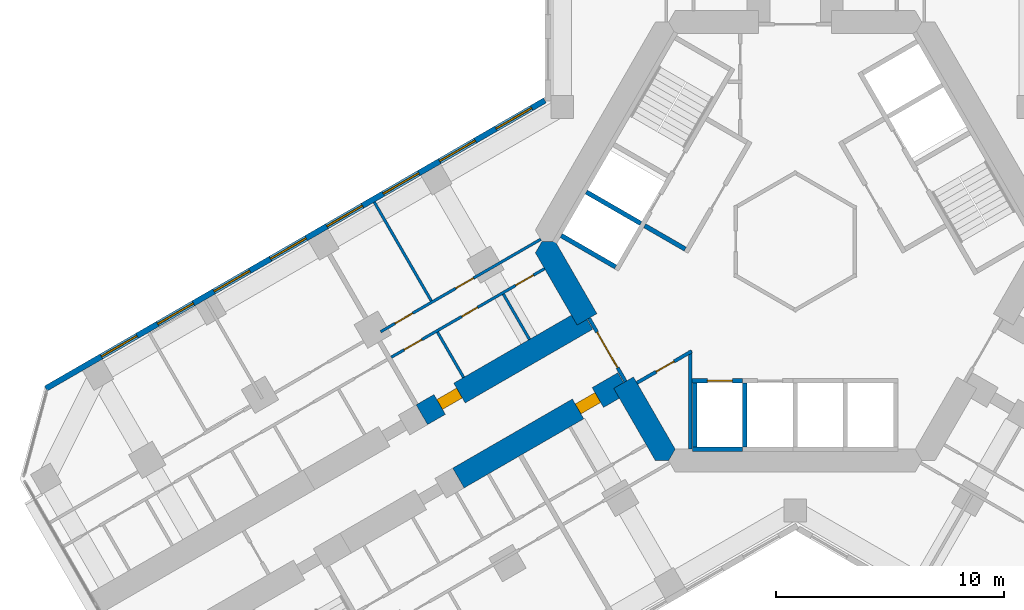
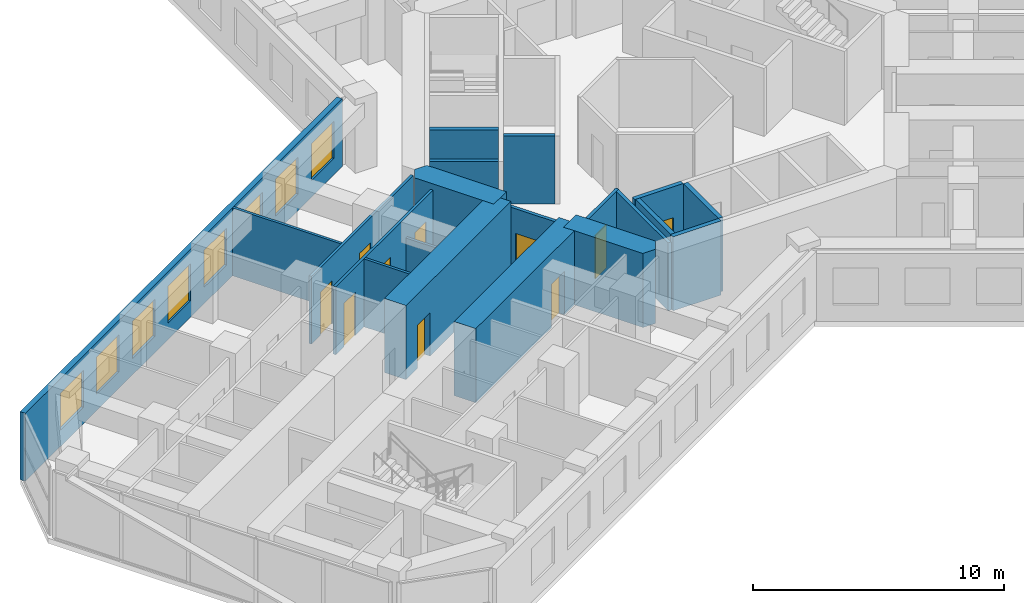
# One storey, part 12 of 21: 20 walls, 10 doors, 8 windows, 18 openings.
"""IFC4 building model written with IfcOpenShell, lengths in metres."""

from ifc_helpers import new_model, si_unit, direction, frame, frame_2d, origin, place, context, subcontext, project, spatial, polyline, rectangle, outline, extrude, material, layer, layer_set, type_object, element, fill, save


model = new_model("IFC4")

# Units and contexts
model_context = context("Model", 3, precision=1e-05, world=origin(), true_north=direction((0.0, 1.0)))
body_context = subcontext(model_context, "Body", "Model", "MODEL_VIEW")
ifc_project = project(units=[si_unit("LENGTHUNIT", "METRE"), si_unit("AREAUNIT", "SQUARE_METRE"), si_unit("VOLUMEUNIT", "CUBIC_METRE"), si_unit("PLANEANGLEUNIT", "RADIAN"), si_unit("MASSUNIT", "GRAM", prefix="KILO")], contexts=[model_context])

# Site, building, storey
site_placement = place(None, origin())
site = spatial("IfcSite", under=ifc_project, at=site_placement, CompositionType="ELEMENT")
building_placement = place(site_placement, origin())
building = spatial("IfcBuilding", under=site, at=building_placement, Name="Kosmar Iwan School Tower", CompositionType="ELEMENT")
storey_placement = place(building_placement, frame((0.0, 0.0, 109.60009765625)))
storey = spatial("IfcBuildingStorey", under=building, at=storey_placement, Name="L27", CompositionType="ELEMENT", Elevation=109.60009765625)

# Wall, opening, door
ifc_material_1 = material(Name="Gypsum board on steel studs, fire-rated", Category="steel")
ifc_layer_1 = layer(ifc_material_1, 0.14990234375)
ifc_layer_set_1 = layer_set([ifc_layer_1], Name="Core room partition 150")
wall_type_1 = type_object("IfcWallType", Name="Core room partition 150", PredefinedType="PARTITIONING", material=ifc_layer_set_1)
wall_1_placement = place(storey_placement, frame((-6.930908203125, -6.195556640625, 0.0), z_axis=(0.0, 0.0, 1.0), x_axis=(0.866007755774, 0.500030566006, 0.0)))
wall_1 = element("IfcWall", 1, at=wall_1_placement, inside=storey, type_object=wall_type_1, Name="Core room partition L27-CW10", PredefinedType="PARTITIONING", context=body_context, shape_type="SweptSolid", body=[
    extrude(rectangle(XDim=2.766357421875, YDim=0.14990234375, at=frame_2d((1.38330078125, 0.0))), origin(), (0.0, 0.0, 1.0), 3.2998046875),
])
opening_1_placement = place(wall_1_placement, frame((0.97607421875, 0.0, 0.0)))
opening_1 = element("IfcOpeningElement", 2, at=opening_1_placement, cuts=wall_1, Name="Opening D14", PredefinedType="OPENING", context=body_context, shape_type="SweptSolid", body=[
    extrude(rectangle(XDim=0.89990234375, YDim=2.10009765625, at=frame_2d((0.449951171875, 1.050048828125))), frame((0.0, 0.0869140625, 0.0), z_axis=(0.0, -1.0, 0.0), x_axis=(1.0, 0.0, 0.0)), (0.0, 0.0, 1.0), 0.173828125),
])
ifc_material_2 = material(Name="Timber fire door in steel frame", Category="steel")
door_type_1 = type_object("IfcDoorType", Name="Core room door 900x2100", OperationType="SINGLE_SWING_LEFT", PredefinedType="DOOR", material=ifc_material_2)
door_1_placement = place(opening_1_placement, origin())
door_1 = element("IfcDoor", 3, at=door_1_placement, inside=storey, type_object=door_type_1, Name="Housekeeping store door L27 4", OperationType="SINGLE_SWING_RIGHT", OverallHeight=2.10009765625, OverallWidth=0.89990234375, PredefinedType="DOOR", context=body_context, shape_type="SweptSolid", body=[
    extrude(rectangle(XDim=0.89990234375, YDim=2.10009765625, at=frame_2d((0.449951171875, 1.050048828125))), frame((0.0, 0.02490234375, 0.0), z_axis=(0.0, -1.0, 0.0), x_axis=(1.0, 0.0, 0.0)), (0.0, 0.0, 1.0), 0.050048828125),
])
fill(opening_1, door_1)

# Walls
wall_2_placement = place(storey_placement, frame((-4.60009765625, -4.774658203125, 0.0), z_axis=(0.0, 0.0, 1.0), x_axis=(0.0, -1.0, 0.0)))
element("IfcWall", 4, at=wall_2_placement, inside=storey, type_object=wall_type_1, Name="Core room partition L27-CW11", PredefinedType="PARTITIONING", context=body_context, shape_type="SweptSolid", body=[
    extrude(rectangle(XDim=4.3203125, YDim=0.14990234375, at=frame_2d((2.16015625, 0.0))), origin(), (0.0, 0.0, 1.0), 3.2998046875),
])
ifc_material_3 = material(Name="Concrete C50/60", Category="concrete")
ifc_layer_2 = layer(ifc_material_3, 1.0)
ifc_layer_set_2 = layer_set([ifc_layer_2], Name="Core wall 1000")
wall_type_2 = type_object("IfcWallType", Name="Core wall 1000", PredefinedType="SHEAR", material=ifc_layer_set_2)
wall_3_placement = place(storey_placement, origin())
element("IfcWall", 5, at=wall_3_placement, inside=storey, type_object=wall_type_2, Name="Core wall F210a", PredefinedType="SHEAR", context=body_context, shape_type="SweptSolid", body=[
    extrude(outline(polyline([(-9.546875, -3.664306640625), (-8.680908203125, -3.164306640625), (-10.5078125, 0.0), (-11.085205078125, 0.0), (-11.373779296875, -0.5), (-9.546875, -3.664306640625)])), origin(), (0.0, 0.0, 1.0), 3.599853515625),
])
wall_4_placement = place(storey_placement, origin())
element("IfcWall", 6, at=wall_4_placement, inside=storey, type_object=wall_type_2, Name="Core wall F210b", PredefinedType="SHEAR", context=body_context, shape_type="SweptSolid", body=[
    extrude(outline(polyline([(-6.119873046875, -9.60009765625), (-5.54248046875, -9.60009765625), (-5.25390625, -9.10009765625), (-7.080810546875, -5.935546875), (-7.94677734375, -6.435546875), (-6.119873046875, -9.60009765625)])), origin(), (0.0, 0.0, 1.0), 3.599853515625),
])

# Wall, opening, door
ifc_material_4 = material(Name="Concrete C50/60", Category="concrete")
ifc_layer_3 = layer(ifc_material_4, 1.0)
ifc_layer_set_3 = layer_set([ifc_layer_3], Name="Corridor buttress wall 1000")
wall_type_3 = type_object("IfcWallType", Name="Corridor buttress wall 1000", PredefinedType="SHEAR", material=ifc_layer_set_3)
wall_5_placement = place(storey_placement, frame((-7.513916015625, -6.185546875, 0.0), z_axis=(0.0, 0.0, 1.0), x_axis=(-0.866019549707, -0.500010139422, 0.0)))
wall_5 = element("IfcWall", 7, at=wall_5_placement, inside=storey, type_object=wall_type_3, Name="Corridor wall BL", PredefinedType="SHEAR", context=body_context, shape_type="SweptSolid", body=[
    extrude(rectangle(XDim=8.349853515625, YDim=1.0, at=frame_2d((4.1748046875, 0.0))), origin(), (0.0, 0.0, 1.0), 3.599853515625),
])
opening_2_placement = place(wall_5_placement, frame((1.300048828125, 0.0, 0.0)))
opening_2 = element("IfcOpeningElement", 8, at=opening_2_placement, cuts=wall_5, Name="Opening D1", PredefinedType="OPENING", context=body_context, shape_type="SweptSolid", body=[
    extrude(rectangle(XDim=1.0, YDim=2.10009765625, at=frame_2d((0.5, 1.050048828125))), frame((0.0, 0.511962890625, 0.0), z_axis=(0.0, -1.0, 0.0), x_axis=(1.0, 0.0, 0.0)), (0.0, 0.0, 1.0), 1.02392578125),
])
ifc_material_5 = material(Name="Timber fire door in steel frame", Category="steel")
door_type_2 = type_object("IfcDoorType", Name="Flat entrance door 1000x2100", OperationType="SINGLE_SWING_LEFT", PredefinedType="DOOR", material=ifc_material_5)
door_2_placement = place(opening_2_placement, origin())
door_2 = element("IfcDoor", 9, at=door_2_placement, inside=storey, type_object=door_type_2, Name="Flat L27-BL1 entrance door", OperationType="SINGLE_SWING_RIGHT", OverallHeight=2.10009765625, OverallWidth=1.0, PredefinedType="DOOR", context=body_context, shape_type="SweptSolid", body=[
    extrude(rectangle(XDim=1.0, YDim=2.10009765625, at=frame_2d((0.5, 1.050048828125))), frame((0.0, 0.25, 0.0), z_axis=(0.0, -1.0, 0.0), x_axis=(1.0, 0.0, 0.0)), (0.0, 0.0, 1.0), 0.5),
])
fill(opening_2, door_2)

wall_6_placement = place(storey_placement, frame((-9.11376953125, -3.414306640625, 0.0), z_axis=(0.0, 0.0, 1.0), x_axis=(-0.866026859388, -0.499997478812, 0.0)))
wall_6 = element("IfcWall", 10, at=wall_6_placement, inside=storey, type_object=wall_type_3, Name="Corridor wall BR", PredefinedType="SHEAR", context=body_context, shape_type="SweptSolid", body=[
    extrude(rectangle(XDim=8.35009765625, YDim=1.0, at=frame_2d((4.175048828125, 0.0))), origin(), (0.0, 0.0, 1.0), 3.599853515625),
])
opening_3_placement = place(wall_6_placement, frame((6.449951171875, 0.0, 0.0)))
opening_3 = element("IfcOpeningElement", 11, at=opening_3_placement, cuts=wall_6, Name="Opening D1", PredefinedType="OPENING", context=body_context, shape_type="SweptSolid", body=[
    extrude(rectangle(XDim=1.0, YDim=2.10009765625, at=frame_2d((0.5, 1.050048828125))), frame((0.0, 0.511962890625, 0.0), z_axis=(0.0, -1.0, 0.0), x_axis=(1.0, 0.0, 0.0)), (0.0, 0.0, 1.0), 1.02392578125),
])
door_3_placement = place(opening_3_placement, origin())
door_3 = element("IfcDoor", 12, at=door_3_placement, inside=storey, type_object=door_type_2, Name="Flat L27-BR1 entrance door", OperationType="SINGLE_SWING_RIGHT", OverallHeight=2.10009765625, OverallWidth=1.0, PredefinedType="DOOR", context=body_context, shape_type="SweptSolid", body=[
    extrude(rectangle(XDim=1.0, YDim=2.10009765625, at=frame_2d((0.5, 1.050048828125))), frame((0.0, 0.25, 0.0), z_axis=(0.0, -1.0, 0.0), x_axis=(1.0, 0.0, 0.0)), (0.0, 0.0, 1.0), 0.5),
])
fill(opening_3, door_3)

ifc_material_6 = material(Name="Steel framed glazed screen", Category="steel")
ifc_layer_4 = layer(ifc_material_6, 0.14990234375)
ifc_layer_set_4 = layer_set([ifc_layer_4], Name="Corridor screen wall 150")
wall_type_4 = type_object("IfcWallType", Name="Corridor screen wall 150", PredefinedType="PARTITIONING", material=ifc_layer_set_4)
wall_7_placement = place(storey_placement, frame((-9.02734375, -3.3642578125, 0.0), z_axis=(0.0, 0.0, 1.0), x_axis=(0.499995408039, -0.866028054938, 0.0)))
wall_7 = element("IfcWall", 13, at=wall_7_placement, inside=storey, type_object=wall_type_4, Name="Corridor screen B L27", PredefinedType="PARTITIONING", context=body_context, shape_type="SweptSolid", body=[
    extrude(rectangle(XDim=3.2001953125, YDim=0.14990234375, at=frame_2d((1.60009765625, 0.0))), origin(), (0.0, 0.0, 1.0), 3.2998046875),
])
opening_4_placement = place(wall_7_placement, frame((0.699951171875, 0.0, 0.0)))
opening_4 = element("IfcOpeningElement", 14, at=opening_4_placement, cuts=wall_7, Name="Opening D9", PredefinedType="OPENING", context=body_context, shape_type="SweptSolid", body=[
    extrude(rectangle(XDim=1.800048828125, YDim=2.10009765625, at=frame_2d((0.89990234375, 1.050048828125))), frame((0.0, 0.0869140625, 0.0), z_axis=(0.0, -1.0, 0.0), x_axis=(1.0, 0.0, 0.0)), (0.0, 0.0, 1.0), 0.173828125),
])
ifc_material_7 = material(Name="Steel framed glazed smoke door", Category="steel")
door_type_3 = type_object("IfcDoorType", Name="Corridor smoke door pair 1800x2100", OperationType="DOUBLE_DOOR_DOUBLE_SWING", PredefinedType="DOOR", material=ifc_material_7)
door_4_placement = place(opening_4_placement, origin())
door_4 = element("IfcDoor", 15, at=door_4_placement, inside=storey, type_object=door_type_3, Name="Corridor doors B L27", OperationType="DOUBLE_DOOR_DOUBLE_SWING", OverallHeight=2.10009765625, OverallWidth=1.800048828125, PredefinedType="DOOR", context=body_context, shape_type="SweptSolid", body=[
    extrude(rectangle(XDim=1.800048828125, YDim=2.10009765625, at=frame_2d((0.89990234375, 1.050048828125))), frame((0.0, 0.02490234375, 0.0), z_axis=(0.0, -1.0, 0.0), x_axis=(1.0, 0.0, 0.0)), (0.0, 0.0, 1.0), 0.050048828125),
])
fill(opening_4, door_4)

# Wall, openings, doors
ifc_material_8 = material(Name="Gypsum board on steel studs", Category="steel")
ifc_layer_5 = layer(ifc_material_8, 0.1201171875)
ifc_layer_set_5 = layer_set([ifc_layer_5], Name="Dwelling partition 120")
wall_type_5 = type_object("IfcWallType", Name="Dwelling partition 120", PredefinedType="PARTITIONING", material=ifc_layer_set_5)
wall_8_placement = place(storey_placement, frame((-10.971923828125, -1.1962890625, 0.0), z_axis=(0.0, 0.0, 1.0), x_axis=(-0.866024534185, -0.500001506187, 0.0)))
wall_8 = element("IfcWall", 16, at=wall_8_placement, inside=storey, type_object=wall_type_5, Name="Partition L27-BR1-W1", PredefinedType="PARTITIONING", context=body_context, shape_type="SweptSolid", body=[
    extrude(rectangle(XDim=7.75, YDim=0.1201171875, at=frame_2d((3.875, 0.0))), origin(), (0.0, 0.0, 1.0), 3.2998046875),
])
opening_5_placement = place(wall_8_placement, frame((0.56005859375, 0.0, 0.0)))
opening_5 = element("IfcOpeningElement", 17, at=opening_5_placement, cuts=wall_8, Name="Opening D2", PredefinedType="OPENING", context=body_context, shape_type="SweptSolid", body=[
    extrude(rectangle(XDim=0.89990234375, YDim=2.10009765625, at=frame_2d((0.449951171875, 1.050048828125))), frame((0.0, 0.072021484375, 0.0), z_axis=(0.0, -1.0, 0.0), x_axis=(1.0, 0.0, 0.0)), (0.0, 0.0, 1.0), 0.14404296875),
])
opening_6_placement = place(wall_8_placement, frame((3.385009765625, 0.0, 0.0)))
opening_6 = element("IfcOpeningElement", 18, at=opening_6_placement, cuts=wall_8, Name="Opening D3", PredefinedType="OPENING", context=body_context, shape_type="SweptSolid", body=[
    extrude(rectangle(XDim=0.800048828125, YDim=2.10009765625, at=frame_2d((0.39990234375, 1.050048828125))), frame((0.0, 0.072021484375, 0.0), z_axis=(0.0, -1.0, 0.0), x_axis=(1.0, 0.0, 0.0)), (0.0, 0.0, 1.0), 0.14404296875),
])
opening_7_placement = place(wall_8_placement, frame((6.199951171875, 0.0, 0.0)))
opening_7 = element("IfcOpeningElement", 19, at=opening_7_placement, cuts=wall_8, Name="Opening D2", PredefinedType="OPENING", context=body_context, shape_type="SweptSolid", body=[
    extrude(rectangle(XDim=0.89990234375, YDim=2.10009765625, at=frame_2d((0.449951171875, 1.050048828125))), frame((0.0, 0.072021484375, 0.0), z_axis=(0.0, -1.0, 0.0), x_axis=(1.0, 0.0, 0.0)), (0.0, 0.0, 1.0), 0.14404296875),
])
ifc_material_9 = material(Name="Timber door in timber frame", Category="wood")
door_type_4 = type_object("IfcDoorType", Name="Internal door 900x2100", OperationType="SINGLE_SWING_LEFT", PredefinedType="DOOR", material=ifc_material_9)
door_5_placement = place(opening_5_placement, origin())
door_5 = element("IfcDoor", 20, at=door_5_placement, inside=storey, type_object=door_type_4, Name="Pantry door L27-BR1-S1", OperationType="SINGLE_SWING_RIGHT", OverallHeight=2.10009765625, OverallWidth=0.89990234375, PredefinedType="DOOR", context=body_context, shape_type="SweptSolid", body=[
    extrude(rectangle(XDim=0.89990234375, YDim=2.10009765625, at=frame_2d((0.449951171875, 1.050048828125))), frame((0.0, 0.02490234375, 0.0), z_axis=(0.0, -1.0, 0.0), x_axis=(1.0, 0.0, 0.0)), (0.0, 0.0, 1.0), 0.050048828125),
])
fill(opening_5, door_5)
door_6_placement = place(opening_7_placement, origin())
door_6 = element("IfcDoor", 21, at=door_6_placement, inside=storey, type_object=door_type_4, Name="Entrance hall door L27-BR1-S3", OperationType="SINGLE_SWING_RIGHT", OverallHeight=2.10009765625, OverallWidth=0.89990234375, PredefinedType="DOOR", context=body_context, shape_type="SweptSolid", body=[
    extrude(rectangle(XDim=0.89990234375, YDim=2.10009765625, at=frame_2d((0.449951171875, 1.050048828125))), frame((0.0, 0.02490234375, 0.0), z_axis=(0.0, -1.0, 0.0), x_axis=(1.0, 0.0, 0.0)), (0.0, 0.0, 1.0), 0.050048828125),
])
fill(opening_7, door_6)
ifc_material_10 = material(Name="Timber door in timber frame", Category="wood")
door_type_5 = type_object("IfcDoorType", Name="Sanitary room door 800x2100", OperationType="SINGLE_SWING_LEFT", PredefinedType="DOOR", material=ifc_material_10)
door_7_placement = place(opening_6_placement, origin())
door_7 = element("IfcDoor", 22, at=door_7_placement, inside=storey, type_object=door_type_5, Name="Bathroom door L27-BR1-S2", OperationType="SINGLE_SWING_LEFT", OverallHeight=2.10009765625, OverallWidth=0.800048828125, PredefinedType="DOOR", context=body_context, shape_type="SweptSolid", body=[
    extrude(rectangle(XDim=0.800048828125, YDim=2.10009765625, at=frame_2d((0.39990234375, 1.050048828125))), frame((0.0, 0.02490234375, 0.0), z_axis=(0.0, -1.0, 0.0), x_axis=(1.0, 0.0, 0.0)), (0.0, 0.0, 1.0), 0.050048828125),
])
fill(opening_6, door_7)

wall_9_placement = place(storey_placement, frame((-11.138916015625, 0.093017578125, 0.0), z_axis=(0.0, 0.0, 1.0), x_axis=(-0.866017937352, -0.500012932018, 0.0)))
wall_9 = element("IfcWall", 23, at=wall_9_placement, inside=storey, type_object=wall_type_5, Name="Partition L27-BR1-W2", PredefinedType="PARTITIONING", context=body_context, shape_type="SweptSolid", body=[
    extrude(rectangle(XDim=8.099853515625, YDim=0.1201171875, at=frame_2d((4.0498046875, 0.0))), origin(), (0.0, 0.0, 1.0), 3.2998046875),
])
opening_8_placement = place(wall_9_placement, frame((3.39990234375, 0.0, 0.0)))
opening_8 = element("IfcOpeningElement", 24, at=opening_8_placement, cuts=wall_9, Name="Opening D2", PredefinedType="OPENING", context=body_context, shape_type="SweptSolid", body=[
    extrude(rectangle(XDim=0.89990234375, YDim=2.10009765625, at=frame_2d((0.449951171875, 1.050048828125))), frame((0.0, 0.072021484375, 0.0), z_axis=(0.0, -1.0, 0.0), x_axis=(1.0, 0.0, 0.0)), (0.0, 0.0, 1.0), 0.14404296875),
])
opening_9_placement = place(wall_9_placement, frame((6.47509765625, 0.0, 0.0)))
opening_9 = element("IfcOpeningElement", 25, at=opening_9_placement, cuts=wall_9, Name="Opening D2", PredefinedType="OPENING", context=body_context, shape_type="SweptSolid", body=[
    extrude(rectangle(XDim=0.89990234375, YDim=2.10009765625, at=frame_2d((0.449951171875, 1.050048828125))), frame((0.0, 0.072021484375, 0.0), z_axis=(0.0, -1.0, 0.0), x_axis=(1.0, 0.0, 0.0)), (0.0, 0.0, 1.0), 0.14404296875),
])
door_8_placement = place(opening_8_placement, origin())
door_8 = element("IfcDoor", 26, at=door_8_placement, inside=storey, type_object=door_type_4, Name="Living room and kitchen door L27-BR1-F1", OperationType="SINGLE_SWING_LEFT", OverallHeight=2.10009765625, OverallWidth=0.89990234375, PredefinedType="DOOR", context=body_context, shape_type="SweptSolid", body=[
    extrude(rectangle(XDim=0.89990234375, YDim=2.10009765625, at=frame_2d((0.449951171875, 1.050048828125))), frame((0.0, 0.02490234375, 0.0), z_axis=(0.0, -1.0, 0.0), x_axis=(1.0, 0.0, 0.0)), (0.0, 0.0, 1.0), 0.050048828125),
])
fill(opening_8, door_8)
door_9_placement = place(opening_9_placement, origin())
door_9 = element("IfcDoor", 27, at=door_9_placement, inside=storey, type_object=door_type_4, Name="Bedroom 1 door L27-BR1-F2", OperationType="SINGLE_SWING_RIGHT", OverallHeight=2.10009765625, OverallWidth=0.89990234375, PredefinedType="DOOR", context=body_context, shape_type="SweptSolid", body=[
    extrude(rectangle(XDim=0.89990234375, YDim=2.10009765625, at=frame_2d((0.449951171875, 1.050048828125))), frame((0.0, 0.02490234375, 0.0), z_axis=(0.0, -1.0, 0.0), x_axis=(1.0, 0.0, 0.0)), (0.0, 0.0, 1.0), 0.050048828125),
])
fill(opening_9, door_9)

# Walls
wall_10_placement = place(storey_placement, frame((-15.931884765625, -2.60498046875, 0.0), z_axis=(0.0, 0.0, 1.0), x_axis=(-0.500011847778, 0.866018563358, 0.0)))
element("IfcWall", 28, at=wall_10_placement, inside=storey, type_object=wall_type_5, Name="Partition L27-BR1-X1", PredefinedType="PARTITIONING", context=body_context, shape_type="SweptSolid", body=[
    extrude(rectangle(XDim=4.990234375, YDim=0.1201171875, at=frame_2d((2.4951171875, 0.0))), origin(), (0.0, 0.0, 1.0), 3.2998046875),
])
wall_11_placement = place(storey_placement, frame((-11.6328125, -4.291259765625, 0.0), z_axis=(0.0, 0.0, 1.0), x_axis=(-0.500014693593, 0.866016920268, 0.0)))
element("IfcWall", 29, at=wall_11_placement, inside=storey, type_object=wall_type_5, Name="Partition L27-BR1-Y1", PredefinedType="PARTITIONING", context=body_context, shape_type="SweptSolid", body=[
    extrude(rectangle(XDim=2.2900390625, YDim=0.1201171875, at=frame_2d((1.14501953125, 0.0))), origin(), (0.0, 0.0, 1.0), 2.2998046875),
])
wall_12_placement = place(storey_placement, frame((-14.5166015625, -5.956298828125, 0.0), z_axis=(0.0, 0.0, 1.0), x_axis=(-0.500014693593, 0.866016920268, 0.0)))
element("IfcWall", 30, at=wall_12_placement, inside=storey, type_object=wall_type_5, Name="Partition L27-BR1-Y2", PredefinedType="PARTITIONING", context=body_context, shape_type="SweptSolid", body=[
    extrude(rectangle(XDim=2.2900390625, YDim=0.1201171875, at=frame_2d((1.14501953125, 0.0))), origin(), (0.0, 0.0, 1.0), 3.2998046875),
])

# Wall, openings, windows
ifc_material_11 = material(Name="Black aluminium rainscreen on insulated framing", Category="aluminium")
ifc_layer_6 = layer(ifc_material_11, 0.25)
ifc_layer_set_6 = layer_set([ifc_layer_6], Name="External wall rainscreen 250")
wall_type_6 = type_object("IfcWallType", Name="External wall rainscreen 250", PredefinedType="SOLIDWALL", material=ifc_layer_set_6)
wall_13_placement = place(storey_placement, frame((-10.962890625, 6.170166015625, 0.0), z_axis=(0.0, 0.0, 1.0), x_axis=(-0.86602796634, -0.499995561497, 0.0)))
wall_13 = element("IfcWall", 31, at=wall_13_placement, inside=storey, type_object=wall_type_6, Name="External wall BR L27", PredefinedType="SOLIDWALL", context=body_context, shape_type="SweptSolid", body=[
    extrude(rectangle(XDim=25.226318359375, YDim=0.25, at=frame_2d((12.61328125, 0.0))), origin(), (0.0, 0.0, 1.0), 3.2998046875),
])
opening_10_placement = place(wall_13_placement, frame((0.666015625, 0.0, 0.800048828125)))
opening_10 = element("IfcOpeningElement", 32, at=opening_10_placement, cuts=wall_13, Name="Opening W1", PredefinedType="OPENING", context=body_context, shape_type="SweptSolid", body=[
    extrude(rectangle(XDim=1.800048828125, YDim=1.800048828125, at=frame_2d((0.89990234375, 0.89990234375))), frame((0.0, 0.136962890625, 0.0), z_axis=(0.0, -1.0, 0.0), x_axis=(1.0, 0.0, 0.0)), (0.0, 0.0, 1.0), 0.27392578125),
])
opening_11_placement = place(wall_13_placement, frame((3.51611328125, 0.0, 0.800048828125)))
opening_11 = element("IfcOpeningElement", 33, at=opening_11_placement, cuts=wall_13, Name="Opening W1", PredefinedType="OPENING", context=body_context, shape_type="SweptSolid", body=[
    extrude(rectangle(XDim=1.800048828125, YDim=1.800048828125, at=frame_2d((0.89990234375, 0.89990234375))), frame((0.0, 0.136962890625, 0.0), z_axis=(0.0, -1.0, 0.0), x_axis=(1.0, 0.0, 0.0)), (0.0, 0.0, 1.0), 0.27392578125),
])
opening_12_placement = place(wall_13_placement, frame((6.365966796875, 0.0, 0.800048828125)))
opening_12 = element("IfcOpeningElement", 34, at=opening_12_placement, cuts=wall_13, Name="Opening W1", PredefinedType="OPENING", context=body_context, shape_type="SweptSolid", body=[
    extrude(rectangle(XDim=1.800048828125, YDim=1.800048828125, at=frame_2d((0.89990234375, 0.89990234375))), frame((0.0, 0.136962890625, 0.0), z_axis=(0.0, -1.0, 0.0), x_axis=(1.0, 0.0, 0.0)), (0.0, 0.0, 1.0), 0.27392578125),
])
opening_13_placement = place(wall_13_placement, frame((9.216064453125, 0.0, 0.800048828125)))
opening_13 = element("IfcOpeningElement", 35, at=opening_13_placement, cuts=wall_13, Name="Opening W1", PredefinedType="OPENING", context=body_context, shape_type="SweptSolid", body=[
    extrude(rectangle(XDim=1.800048828125, YDim=1.800048828125, at=frame_2d((0.89990234375, 0.89990234375))), frame((0.0, 0.136962890625, 0.0), z_axis=(0.0, -1.0, 0.0), x_axis=(1.0, 0.0, 0.0)), (0.0, 0.0, 1.0), 0.27392578125),
])
opening_14_placement = place(wall_13_placement, frame((12.06591796875, 0.0, 0.800048828125)))
opening_14 = element("IfcOpeningElement", 36, at=opening_14_placement, cuts=wall_13, Name="Opening W1", PredefinedType="OPENING", context=body_context, shape_type="SweptSolid", body=[
    extrude(rectangle(XDim=1.800048828125, YDim=1.800048828125, at=frame_2d((0.89990234375, 0.89990234375))), frame((0.0, 0.136962890625, 0.0), z_axis=(0.0, -1.0, 0.0), x_axis=(1.0, 0.0, 0.0)), (0.0, 0.0, 1.0), 0.27392578125),
])
opening_15_placement = place(wall_13_placement, frame((14.916015625, 0.0, 0.800048828125)))
opening_15 = element("IfcOpeningElement", 37, at=opening_15_placement, cuts=wall_13, Name="Opening W1", PredefinedType="OPENING", context=body_context, shape_type="SweptSolid", body=[
    extrude(rectangle(XDim=1.800048828125, YDim=1.800048828125, at=frame_2d((0.89990234375, 0.89990234375))), frame((0.0, 0.136962890625, 0.0), z_axis=(0.0, -1.0, 0.0), x_axis=(1.0, 0.0, 0.0)), (0.0, 0.0, 1.0), 0.27392578125),
])
opening_16_placement = place(wall_13_placement, frame((17.76611328125, 0.0, 0.800048828125)))
opening_16 = element("IfcOpeningElement", 38, at=opening_16_placement, cuts=wall_13, Name="Opening W1", PredefinedType="OPENING", context=body_context, shape_type="SweptSolid", body=[
    extrude(rectangle(XDim=1.800048828125, YDim=1.800048828125, at=frame_2d((0.89990234375, 0.89990234375))), frame((0.0, 0.136962890625, 0.0), z_axis=(0.0, -1.0, 0.0), x_axis=(1.0, 0.0, 0.0)), (0.0, 0.0, 1.0), 0.27392578125),
])
opening_17_placement = place(wall_13_placement, frame((20.615966796875, 0.0, 0.800048828125)))
opening_17 = element("IfcOpeningElement", 39, at=opening_17_placement, cuts=wall_13, Name="Opening W1", PredefinedType="OPENING", context=body_context, shape_type="SweptSolid", body=[
    extrude(rectangle(XDim=1.800048828125, YDim=1.800048828125, at=frame_2d((0.89990234375, 0.89990234375))), frame((0.0, 0.136962890625, 0.0), z_axis=(0.0, -1.0, 0.0), x_axis=(1.0, 0.0, 0.0)), (0.0, 0.0, 1.0), 0.27392578125),
])
ifc_material_12 = material(Name="Black aluminium frame with dark triple glazing", Category="aluminium")
window_type = type_object("IfcWindowType", Name="Window 1800x1800", PartitioningType="SINGLE_PANEL", PredefinedType="WINDOW", material=ifc_material_12)
window_1_placement = place(opening_10_placement, origin())
window_1 = element("IfcWindow", 40, at=window_1_placement, inside=storey, type_object=window_type, Name="Window BR L27 -1", OverallHeight=1.800048828125, OverallWidth=1.800048828125, PartitioningType="SINGLE_PANEL", PredefinedType="WINDOW", context=body_context, shape_type="SweptSolid", body=[
    extrude(rectangle(XDim=1.800048828125, YDim=1.800048828125, at=frame_2d((0.89990234375, 0.89990234375))), frame((0.0, 0.030029296875, 0.0), z_axis=(0.0, -1.0, 0.0), x_axis=(1.0, 0.0, 0.0)), (0.0, 0.0, 1.0), 0.06005859375),
])
fill(opening_10, window_1)
window_2_placement = place(opening_11_placement, origin())
window_2 = element("IfcWindow", 41, at=window_2_placement, inside=storey, type_object=window_type, Name="Window BR L27 0", OverallHeight=1.800048828125, OverallWidth=1.800048828125, PartitioningType="SINGLE_PANEL", PredefinedType="WINDOW", context=body_context, shape_type="SweptSolid", body=[
    extrude(rectangle(XDim=1.800048828125, YDim=1.800048828125, at=frame_2d((0.89990234375, 0.89990234375))), frame((0.0, 0.030029296875, 0.0), z_axis=(0.0, -1.0, 0.0), x_axis=(1.0, 0.0, 0.0)), (0.0, 0.0, 1.0), 0.06005859375),
])
fill(opening_11, window_2)
window_3_placement = place(opening_12_placement, origin())
window_3 = element("IfcWindow", 42, at=window_3_placement, inside=storey, type_object=window_type, Name="Window BR L27 1", OverallHeight=1.800048828125, OverallWidth=1.800048828125, PartitioningType="SINGLE_PANEL", PredefinedType="WINDOW", context=body_context, shape_type="SweptSolid", body=[
    extrude(rectangle(XDim=1.800048828125, YDim=1.800048828125, at=frame_2d((0.89990234375, 0.89990234375))), frame((0.0, 0.030029296875, 0.0), z_axis=(0.0, -1.0, 0.0), x_axis=(1.0, 0.0, 0.0)), (0.0, 0.0, 1.0), 0.06005859375),
])
fill(opening_12, window_3)
window_4_placement = place(opening_13_placement, origin())
window_4 = element("IfcWindow", 43, at=window_4_placement, inside=storey, type_object=window_type, Name="Window BR L27 2", OverallHeight=1.800048828125, OverallWidth=1.800048828125, PartitioningType="SINGLE_PANEL", PredefinedType="WINDOW", context=body_context, shape_type="SweptSolid", body=[
    extrude(rectangle(XDim=1.800048828125, YDim=1.800048828125, at=frame_2d((0.89990234375, 0.89990234375))), frame((0.0, 0.030029296875, 0.0), z_axis=(0.0, -1.0, 0.0), x_axis=(1.0, 0.0, 0.0)), (0.0, 0.0, 1.0), 0.06005859375),
])
fill(opening_13, window_4)
window_5_placement = place(opening_14_placement, origin())
window_5 = element("IfcWindow", 44, at=window_5_placement, inside=storey, type_object=window_type, Name="Window BR L27 3", OverallHeight=1.800048828125, OverallWidth=1.800048828125, PartitioningType="SINGLE_PANEL", PredefinedType="WINDOW", context=body_context, shape_type="SweptSolid", body=[
    extrude(rectangle(XDim=1.800048828125, YDim=1.800048828125, at=frame_2d((0.89990234375, 0.89990234375))), frame((0.0, 0.030029296875, 0.0), z_axis=(0.0, -1.0, 0.0), x_axis=(1.0, 0.0, 0.0)), (0.0, 0.0, 1.0), 0.06005859375),
])
fill(opening_14, window_5)
window_6_placement = place(opening_15_placement, origin())
window_6 = element("IfcWindow", 45, at=window_6_placement, inside=storey, type_object=window_type, Name="Window BR L27 4", OverallHeight=1.800048828125, OverallWidth=1.800048828125, PartitioningType="SINGLE_PANEL", PredefinedType="WINDOW", context=body_context, shape_type="SweptSolid", body=[
    extrude(rectangle(XDim=1.800048828125, YDim=1.800048828125, at=frame_2d((0.89990234375, 0.89990234375))), frame((0.0, 0.030029296875, 0.0), z_axis=(0.0, -1.0, 0.0), x_axis=(1.0, 0.0, 0.0)), (0.0, 0.0, 1.0), 0.06005859375),
])
fill(opening_15, window_6)
window_7_placement = place(opening_16_placement, origin())
window_7 = element("IfcWindow", 46, at=window_7_placement, inside=storey, type_object=window_type, Name="Window BR L27 5", OverallHeight=1.800048828125, OverallWidth=1.800048828125, PartitioningType="SINGLE_PANEL", PredefinedType="WINDOW", context=body_context, shape_type="SweptSolid", body=[
    extrude(rectangle(XDim=1.800048828125, YDim=1.800048828125, at=frame_2d((0.89990234375, 0.89990234375))), frame((0.0, 0.030029296875, 0.0), z_axis=(0.0, -1.0, 0.0), x_axis=(1.0, 0.0, 0.0)), (0.0, 0.0, 1.0), 0.06005859375),
])
fill(opening_16, window_7)
window_8_placement = place(opening_17_placement, origin())
window_8 = element("IfcWindow", 47, at=window_8_placement, inside=storey, type_object=window_type, Name="Window BR L27 6", OverallHeight=1.800048828125, OverallWidth=1.800048828125, PartitioningType="SINGLE_PANEL", PredefinedType="WINDOW", context=body_context, shape_type="SweptSolid", body=[
    extrude(rectangle(XDim=1.800048828125, YDim=1.800048828125, at=frame_2d((0.89990234375, 0.89990234375))), frame((0.0, 0.030029296875, 0.0), z_axis=(0.0, -1.0, 0.0), x_axis=(1.0, 0.0, 0.0)), (0.0, 0.0, 1.0), 0.06005859375),
])
fill(opening_17, window_8)

# Walls
ifc_material_13 = material(Name="Concrete block masonry", Category="masonry")
ifc_layer_7 = layer(ifc_material_13, 0.199951171875)
ifc_layer_set_7 = layer_set([ifc_layer_7], Name="Fire lobby wall 200")
wall_type_7 = type_object("IfcWallType", Name="Fire lobby wall 200", PredefinedType="PARTITIONING", material=ifc_layer_set_7)
wall_14_placement = place(storey_placement, frame((-4.814208984375, -0.33837890625, 0.0), z_axis=(0.0, 0.0, 1.0), x_axis=(-0.865969381856, 0.500097020274, 0.0)))
element("IfcWall", 48, at=wall_14_placement, inside=storey, type_object=wall_type_7, Name="Firefighting lobby wall ST2", PredefinedType="PARTITIONING", context=body_context, shape_type="SweptSolid", body=[
    extrude(rectangle(XDim=2.0498046875, YDim=0.199951171875, at=frame_2d((1.02490234375, 0.0))), origin(), (0.0, 0.0, 1.0), 3.2998046875),
])
ifc_material_14 = material(Name="Concrete C50/60", Category="concrete")
ifc_layer_8 = layer(ifc_material_14, 0.199951171875)
ifc_layer_set_8 = layer_set([ifc_layer_8], Name="Lift shaft wall 200")
wall_type_8 = type_object("IfcWallType", Name="Lift shaft wall 200", PredefinedType="SHEAR", material=ifc_layer_set_8)
for number, where, z_axis, x_axis, name in (
    (49, (-6.7626953125, 0.78662109375, 0.0), (0.0, 0.0, 1.0), (-0.866027397988, 0.499996545922, 0.0), "Lift shaft wall AB 1"),
    (50, (-7.862548828125, -1.118408203125, 0.0), (0.0, 0.0, 1.0), (-0.866027397988, 0.499996545922, 0.0), "Lift shaft wall AB 2"),
):
    element("IfcWall", number, at=place(storey_placement, frame(where, z_axis=z_axis, x_axis=x_axis)), inside=storey, type_object=wall_type_8, Name=name, PredefinedType="SHEAR", context=body_context, shape_type="SweptSolid", body=[
        extrude(rectangle(XDim=2.75, YDim=0.199951171875, at=frame_2d((1.375, 0.0))), origin(), (0.0, 0.0, 1.0), 3.599853515625),
    ])

# Wall, opening, door
wall_15_placement = place(storey_placement, frame((-4.52490234375, -6.10009765625, 0.0), z_axis=(0.0, 0.0, 1.0), x_axis=(1.0, 0.0, 0.0)))
wall_15 = element("IfcWall", 51, at=wall_15_placement, inside=storey, type_object=wall_type_8, Name="Lift and stair front wall BC", PredefinedType="SHEAR", context=body_context, shape_type="SweptSolid", body=[
    extrude(rectangle(XDim=2.224853515625, YDim=0.199951171875, at=frame_2d((1.1123046875, 0.0))), origin(), (0.0, 0.0, 1.0), 3.599853515625),
])
opening_18_placement = place(wall_15_placement, frame((0.675048828125, 0.0, 0.0)))
opening_18 = element("IfcOpeningElement", 52, at=opening_18_placement, cuts=wall_15, Name="Opening LD1", PredefinedType="OPENING", context=body_context, shape_type="SweptSolid", body=[
    extrude(rectangle(XDim=1.10009765625, YDim=2.10009765625, at=frame_2d((0.550048828125, 1.050048828125))), frame((0.0, 0.112060546875, 0.0), z_axis=(0.0, -1.0, 0.0), x_axis=(1.0, 0.0, 0.0)), (0.0, 0.0, 1.0), 0.223876953125),
])
ifc_material_15 = material(Name="Stainless steel sliding lift door", Category="steel")
door_type_6 = type_object("IfcDoorType", Name="Lift landing door 1100x2100", OperationType="SLIDING_TO_LEFT", PredefinedType="DOOR", material=ifc_material_15)
door_10_placement = place(opening_18_placement, origin())
door_10 = element("IfcDoor", 53, at=door_10_placement, inside=storey, type_object=door_type_6, Name="Lift PL1 landing door L27", OperationType="SLIDING_TO_LEFT", OverallHeight=2.10009765625, OverallWidth=1.10009765625, PredefinedType="DOOR", context=body_context, shape_type="SweptSolid", body=[
    extrude(rectangle(XDim=1.10009765625, YDim=2.10009765625, at=frame_2d((0.550048828125, 1.050048828125))), frame((0.0, 0.02490234375, 0.0), z_axis=(0.0, -1.0, 0.0), x_axis=(1.0, 0.0, 0.0)), (0.0, 0.0, 1.0), 0.050048828125),
])
fill(opening_18, door_10)

# Walls
wall_16_placement = place(storey_placement, frame((-4.5, -9.10009765625, 0.0), z_axis=(0.0, 0.0, 1.0), x_axis=(1.0, 0.0, 0.0)))
element("IfcWall", 54, at=wall_16_placement, inside=storey, type_object=wall_type_8, Name="Lift and stair back wall BC", PredefinedType="SHEAR", context=body_context, shape_type="SweptSolid", body=[
    extrude(rectangle(XDim=2.199951171875, YDim=0.199951171875, at=frame_2d((1.10009765625, 0.0))), origin(), (0.0, 0.0, 1.0), 3.599853515625),
])
for number, where, z_axis, x_axis, name in (
    (55, (-4.39990234375, -6.199951171875, 0.0), (0.0, 0.0, 1.0), (0.0, -1.0, 0.0), "Lift shaft wall BC 0"),
    (56, (-2.199951171875, -6.199951171875, 0.0), (0.0, 0.0, 1.0), (0.0, -1.0, 0.0), "Lift shaft wall BC 1"),
):
    element("IfcWall", number, at=place(storey_placement, frame(where, z_axis=z_axis, x_axis=x_axis)), inside=storey, type_object=wall_type_8, Name=name, PredefinedType="SHEAR", context=body_context, shape_type="SweptSolid", body=[
        extrude(rectangle(XDim=2.800048828125, YDim=0.199951171875, at=frame_2d((1.39990234375, 0.0))), origin(), (0.0, 0.0, 1.0), 3.599853515625),
    ])

save(model, "model.ifc")
